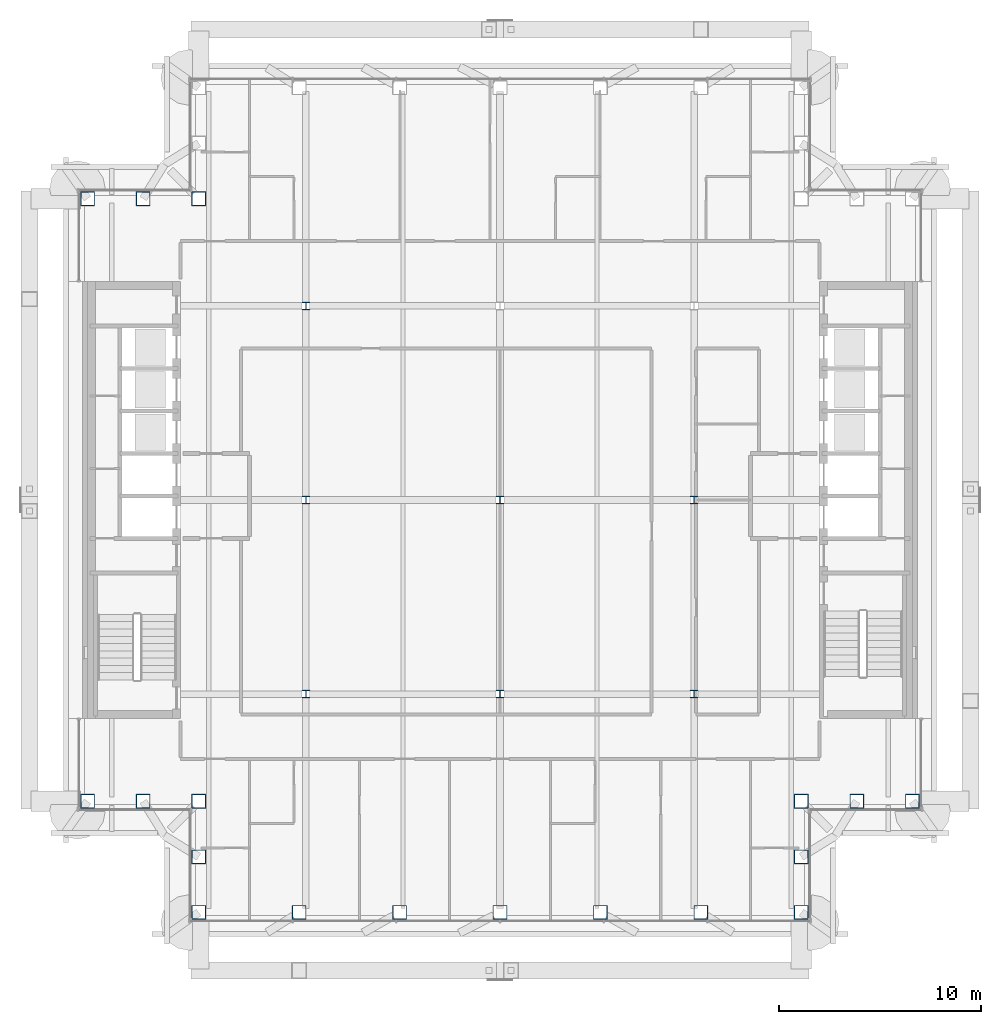
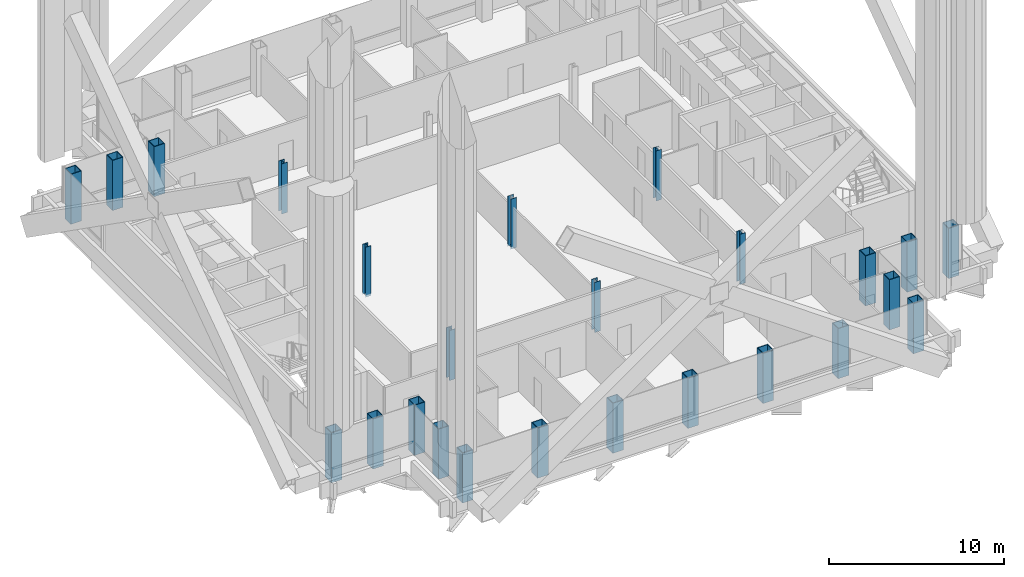
# One storey, part 1 of 22: 25 columns.
"""IFC4 building model written with IfcOpenShell, lengths in metres."""

import ifcopenshell
import ifcopenshell.guid

model = None  # the IFC model being written
_history = None  # IfcOwnerHistory: only IFC2X3 demands one
_inside = {}  # id of a spatial element -> (the spatial element, [elements in it])
_under = {}  # id of a project, library or spatial element -> (it, [spatial elements below it])
_declared = {}  # id of a project -> (the project, [libraries it declares])
_typed = {}  # id of a type object -> (the type object, [elements of that type])
_made_of = {}  # id of a material, layer set ... -> (it, [elements and type objects made of it])


def new_model(schema):
    """Start an empty IFC model of exactly this schema.

    Asked for "IFC4X3", IfcOpenShell would pick the latest addendum, in which some entities
    have other attributes; the version numbers below select the first issue.
    IFC2X3 requires an IfcOwnerHistory on every rooted entity: one is made here for all.
    """
    global model, _history
    if schema == "IFC4X3":
        model = ifcopenshell.file(schema_version=(4, 3, 0, 0))
    else:
        model = ifcopenshell.file(schema=schema)
    _inside.clear()
    _under.clear()
    _declared.clear()
    _typed.clear()
    _made_of.clear()
    _history = None
    if model.schema == "IFC2X3":
        org = make("IfcOrganization", Name="unknown")
        user = make(
            "IfcPersonAndOrganization",
            ThePerson=make("IfcPerson", FamilyName="unknown"),
            TheOrganization=org,
        )
        app = make(
            "IfcApplication",
            ApplicationDeveloper=org,
            Version="unknown",
            ApplicationFullName="unknown",
            ApplicationIdentifier="unknown",
        )
        _history = make(
            "IfcOwnerHistory",
            OwningUser=user,
            OwningApplication=app,
            ChangeAction="ADDED",
            CreationDate=0,
        )
    return model


def make(cls, **values):
    """One entity of the class cls with the attributes given. An attribute that is None is left unset."""
    return model.create_entity(
        cls, **{name: value for name, value in values.items() if value is not None}
    )


def rooted(cls, **values):
    """An entity with a GlobalId (a new one), such as an element, a storey or a relation."""
    return make(cls, GlobalId=ifcopenshell.guid.new(), OwnerHistory=_history, **values)


def si_unit(unit_type, name, prefix=None):
    """IfcSIUnit, for example si_unit("LENGTHUNIT", "METRE", prefix="MILLI")."""
    return make("IfcSIUnit", UnitType=unit_type, Prefix=prefix, Name=name)


def assignment(units):
    """IfcUnitAssignment: the units of a project."""
    return None if units is None else make("IfcUnitAssignment", Units=units)


def point(xyz):
    """IfcCartesianPoint."""
    return None if xyz is None else make("IfcCartesianPoint", Coordinates=xyz)


def direction(xyz):
    """IfcDirection."""
    return None if xyz is None else make("IfcDirection", DirectionRatios=xyz)


def frame(location, z_axis=None, x_axis=None):
    """IfcAxis2Placement3D, a coordinate frame: its origin and axes. An axis left out is left unset."""
    return make(
        "IfcAxis2Placement3D",
        Location=point(location),
        Axis=direction(z_axis),
        RefDirection=direction(x_axis),
    )


def frame_2d(location, x_axis=None):
    """IfcAxis2Placement2D, a coordinate frame in the plane: its origin and x axis."""
    return make(
        "IfcAxis2Placement2D", Location=point(location), RefDirection=direction(x_axis)
    )


def origin():
    """The frame at (0, 0, 0) with its axes left unset."""
    return frame((0.0, 0.0, 0.0))


def origin_2d():
    """The frame at (0, 0) in the plane with its x axis left unset."""
    return frame_2d((0.0, 0.0))


def place(relative_to, where):
    """IfcLocalPlacement: puts the frame where relative to a parent placement (None: the world)."""
    return make(
        "IfcLocalPlacement", PlacementRelTo=relative_to, RelativePlacement=where
    )


def context(
    kind, dimensions, precision=None, world=None, true_north=None, identifier=None
):
    """IfcGeometricRepresentationContext, for example the 3D "Model" context."""
    return make(
        "IfcGeometricRepresentationContext",
        ContextIdentifier=identifier,
        ContextType=kind,
        CoordinateSpaceDimension=dimensions,
        Precision=precision,
        WorldCoordinateSystem=world,
        TrueNorth=true_north,
    )


def subcontext(parent, identifier, kind, view, scale=None):
    """IfcGeometricRepresentationSubContext, for example "Body" below "Model"."""
    return make(
        "IfcGeometricRepresentationSubContext",
        ContextIdentifier=identifier,
        ContextType=kind,
        ParentContext=parent,
        TargetScale=scale,
        TargetView=view,
    )


def project(units=None, contexts=None):
    """IfcProject with its units and contexts."""
    return rooted(
        "IfcProject",
        Name="project",
        RepresentationContexts=contexts,
        UnitsInContext=assignment(units),
    )


def spatial(cls, under=None, at=None, **own):
    """A site, building, storey or space (cls), placed at a placement, below another one or the project."""
    s = rooted(cls, ObjectPlacement=at, **own)
    if under is not None:
        _under.setdefault(under.id(), (under, []))[1].append(s)
    return s


def profile(cls, at=None, kind="AREA", **sizes):
    """A parametric profile (cls). Its sizes go by their IFC names, for example OverallWidth=200.0."""
    return make(cls, ProfileType=kind, Position=at, **sizes)


def hollow_rectangle(**sizes):
    """IfcRectangleHollowProfileDef."""
    return profile("IfcRectangleHollowProfileDef", **sizes)


def i_section(**sizes):
    """IfcIShapeProfileDef."""
    return profile("IfcIShapeProfileDef", **sizes)


def extrude(swept, where, along, depth):
    """IfcExtrudedAreaSolid: the profile swept, set in the frame where, extruded along a direction by depth."""
    return make(
        "IfcExtrudedAreaSolid",
        SweptArea=swept,
        Position=where,
        ExtrudedDirection=direction(along),
        Depth=depth,
    )


def shape(context_of_items, identifier, shape_type, items):
    """IfcShapeRepresentation: the items that make up one representation, for example the "Body"."""
    return make(
        "IfcShapeRepresentation",
        ContextOfItems=context_of_items,
        RepresentationIdentifier=identifier,
        RepresentationType=shape_type,
        Items=items,
    )


def material(Name=None, Category=None):
    """IfcMaterial."""
    return make("IfcMaterial", Name=Name, Category=Category)


def material_profile(
    of_material, cross_section, Name=None, Category=None, Priority=None
):
    """IfcMaterialProfile: a cross section and its material."""
    return make(
        "IfcMaterialProfile",
        Name=Name,
        Material=of_material,
        Profile=cross_section,
        Priority=Priority,
        Category=Category,
    )


def profile_set(profiles, Name=None, composite=None):
    """IfcMaterialProfileSet."""
    return make(
        "IfcMaterialProfileSet",
        Name=Name,
        MaterialProfiles=profiles,
        CompositeProfile=composite,
    )


def made_of(thing, what):
    """Note that an element or type object is made of a material, layer set ...; save() writes the relation."""
    if what is not None:
        _made_of.setdefault(what.id(), (what, []))[1].append(thing)
    return thing


def type_object(cls, material=None, **own):
    """A type object (cls), such as IfcWallType, which elements share."""
    return made_of(rooted(cls, **own), material)


def element(
    cls,
    number,
    at=None,
    inside=None,
    cuts=None,
    type_object=None,
    material=None,
    context=None,
    identifier="Body",
    shape_type=None,
    held_by="IfcProductDefinitionShape",
    body=None,
    shapes=None,
    **own,
):
    """One element of the class cls, such as IfcWall. Its Tag is "e" and its number.

    at: its placement. inside: the storey or other place that contains it. cuts: it is an
    opening in that element (IfcRelVoidsElement). A single representation is given by context,
    identifier, shape_type and body (its items); several are given by shapes. held_by: the class
    of the entity that holds the representations. save() writes the other relations.
    """
    e = rooted(cls, Tag="e%d" % number, ObjectPlacement=at, **own)
    if body is not None:
        shapes = [shape(context, identifier, shape_type, body)]
    if shapes is not None:
        e.Representation = make(held_by, Representations=shapes)
    if inside is not None:
        _inside.setdefault(inside.id(), (inside, []))[1].append(e)
    if cuts is not None:
        rooted(
            "IfcRelVoidsElement", RelatingBuildingElement=cuts, RelatedOpeningElement=e
        )
    if type_object is not None:
        _typed.setdefault(type_object.id(), (type_object, []))[1].append(e)
    return made_of(e, material)


def aggregate(whole, parts):
    """IfcRelAggregates: a whole, such as a stair, and the parts it consists of."""
    return rooted("IfcRelAggregates", RelatingObject=whole, RelatedObjects=parts)


def save(model, path):
    """Write the relations noted so far, then the file.

    IfcRelAggregates (storeys below a building ...), IfcRelContainedInSpatialStructure (elements
    in a storey), IfcRelDefinesByType, IfcRelAssociatesMaterial and IfcRelDeclares: one each for
    every whole, place, type object, material and project.
    """
    for whole, parts in _under.values():
        aggregate(whole, parts)
    for where, things in _inside.values():
        rooted(
            "IfcRelContainedInSpatialStructure",
            RelatedElements=things,
            RelatingStructure=where,
        )
    for kind, things in _typed.values():
        rooted("IfcRelDefinesByType", RelatedObjects=things, RelatingType=kind)
    for what, things in _made_of.values():
        rooted("IfcRelAssociatesMaterial", RelatedObjects=things, RelatingMaterial=what)
    for by, libraries in _declared.values():
        rooted("IfcRelDeclares", RelatingContext=by, RelatedDefinitions=libraries)
    model.write(path)


model = new_model("IFC4")

# Units and contexts
model_context = context("Model", 3, precision=1e-05, world=origin(), true_north=direction((0.0, 1.0)))
body_context = subcontext(model_context, "Body", "Model", "MODEL_VIEW")
ifc_project = project(units=[si_unit("LENGTHUNIT", "METRE"), si_unit("AREAUNIT", "SQUARE_METRE"), si_unit("VOLUMEUNIT", "CUBIC_METRE"), si_unit("PLANEANGLEUNIT", "RADIAN"), si_unit("MASSUNIT", "GRAM", prefix="KILO")], contexts=[model_context])

# Site, building, storey
site_placement = place(None, origin())
site = spatial("IfcSite", under=ifc_project, at=site_placement, CompositionType="ELEMENT")
building_placement = place(site_placement, origin())
building = spatial("IfcBuilding", under=site, at=building_placement, Name="Cobrizo Arcos Hotel Tower", CompositionType="ELEMENT")
storey_placement = place(building_placement, frame((0.0, 0.0, 191.0)))
storey = spatial("IfcBuildingStorey", under=building, at=storey_placement, Name="L49", CompositionType="ELEMENT", Elevation=191.0)

# Columns
ifc_material_1 = material(Name="Steel ASTM A572 Grade 50", Category="steel")
ifc_material_profile_1 = material_profile(ifc_material_1, hollow_rectangle(XDim=0.699951171875, YDim=0.699951171875, WallThickness=0.0400390625, at=origin_2d()), Name="BOX 700X700X40")
ifc_profile_set_1 = profile_set([ifc_material_profile_1], Name="Steel ASTM A572 Grade 50")
column_type_1 = type_object("IfcColumnType", Name="BOX 700X700X40 column", PredefinedType="COLUMN", material=ifc_profile_set_1)
for number, where, z_axis, x_axis, name in (
    (1, (-14.89990234375, -20.39990234375, -0.14990234375), (0.0, 0.0, 1.0), (1.0, 0.0, 0.0), "Perimeter column C10, L49, no. 01"),
    (2, (-9.93310546875, -20.39990234375, -0.14990234375), (0.0, 0.0, 1.0), (1.0, 0.0, 0.0), "Perimeter column C10, L49, no. 03"),
    (3, (-4.967041015625, -20.39990234375, -0.14990234375), (0.0, 0.0, 1.0), (1.0, 0.0, 0.0), "Perimeter column C10, L49, no. 05"),
    (4, (0.0, -20.39990234375, -0.14990234375), (0.0, 0.0, 1.0), (1.0, 0.0, 0.0), "Perimeter column C10, L49, no. 07"),
    (5, (4.967041015625, -20.39990234375, -0.14990234375), (0.0, 0.0, 1.0), (1.0, 0.0, 0.0), "Perimeter column C10, L49, no. 09"),
    (6, (9.93310546875, -20.39990234375, -0.14990234375), (0.0, 0.0, 1.0), (1.0, 0.0, 0.0), "Perimeter column C10, L49, no. 11"),
    (7, (14.89990234375, -20.39990234375, -0.14990234375), (0.0, 0.0, 1.0), (1.0, 0.0, 0.0), "Perimeter column C10, L49, no. 13"),
    (8, (20.39990234375, -14.89990234375, -0.14990234375), (0.0, 0.0, 1.0), (1.0, 0.0, 0.0), "Perimeter column C10, L49, no. 14"),
    (9, (-20.39990234375, -14.89990234375, -0.14990234375), (0.0, 0.0, 1.0), (1.0, 0.0, 0.0), "Perimeter column C10, L49, no. 15"),
    (10, (-20.39990234375, 14.89990234375, -0.14990234375), (0.0, 0.0, 1.0), (1.0, 0.0, 0.0), "Perimeter column C10, L49, no. 17"),
    (11, (-14.89990234375, -14.89990234375, -0.14990234375), (0.0, 0.0, 1.0), (1.0, 0.0, 0.0), "Perimeter column C10, L49, no. 18"),
    (12, (-14.89990234375, -17.64990234375, -0.14990234375), (0.0, 0.0, 1.0), (1.0, 0.0, 0.0), "Perimeter column C10, L49, no. 19"),
    (13, (-17.64990234375, -14.89990234375, -0.14990234375), (0.0, 0.0, 1.0), (1.0, 0.0, 0.0), "Perimeter column C10, L49, no. 20"),
    (14, (-14.89990234375, 14.89990234375, -0.14990234375), (0.0, 0.0, 1.0), (1.0, 0.0, 0.0), "Perimeter column C10, L49, no. 21"),
    (15, (-17.64990234375, 14.89990234375, -0.14990234375), (0.0, 0.0, 1.0), (1.0, 0.0, 0.0), "Perimeter column C10, L49, no. 23"),
    (16, (14.89990234375, -14.89990234375, -0.14990234375), (0.0, 0.0, 1.0), (1.0, 0.0, 0.0), "Perimeter column C10, L49, no. 24"),
    (17, (14.89990234375, -17.64990234375, -0.14990234375), (0.0, 0.0, 1.0), (1.0, 0.0, 0.0), "Perimeter column C10, L49, no. 25"),
    (18, (17.64990234375, -14.89990234375, -0.14990234375), (0.0, 0.0, 1.0), (1.0, 0.0, 0.0), "Perimeter column C10, L49, no. 26"),
):
    element("IfcColumn", number, at=place(storey_placement, frame(where, z_axis=z_axis, x_axis=x_axis)), inside=storey, type_object=column_type_1, Name=name, PredefinedType="COLUMN", context=body_context, shape_type="SweptSolid", body=[
        extrude(hollow_rectangle(XDim=0.699951171875, YDim=0.699951171875, WallThickness=0.0400390625, at=origin_2d()), origin(), (0.0, 0.0, 1.0), 3.5),
    ])
ifc_material_2 = material(Name="Steel ASTM A992 Grade 50", Category="steel")
ifc_material_profile_2 = material_profile(ifc_material_2, i_section(OverallWidth=0.373291015625, OverallDepth=0.373291015625, WebThickness=0.016357421875, FlangeThickness=0.026123046875, at=origin_2d()), Name="W14X132")
ifc_profile_set_2 = profile_set([ifc_material_profile_2], Name="Steel ASTM A992 Grade 50")
column_type_2 = type_object("IfcColumnType", Name="W14X132 interior column", PredefinedType="COLUMN", material=ifc_profile_set_2)
for number, where, z_axis, x_axis, name in (
    (19, (-9.60009765625, -9.60009765625, -0.14990234375), (0.0, 0.0, 1.0), (1.0, 0.0, 0.0), "Interior column C9, L49, no. 00"),
    (20, (-9.60009765625, 0.0, -0.14990234375), (0.0, 0.0, 1.0), (1.0, 0.0, 0.0), "Interior column C9, L49, no. 01"),
    (21, (-9.60009765625, 9.60009765625, -0.14990234375), (0.0, 0.0, 1.0), (1.0, 0.0, 0.0), "Interior column C9, L49, no. 02"),
    (22, (0.0, -9.60009765625, -0.14990234375), (0.0, 0.0, 1.0), (1.0, 0.0, 0.0), "Interior column C9, L49, no. 03"),
    (23, (0.0, 0.0, -0.14990234375), (0.0, 0.0, 1.0), (1.0, 0.0, 0.0), "Interior column C9, L49, no. 04"),
    (24, (9.60009765625, -9.60009765625, -0.14990234375), (0.0, 0.0, 1.0), (1.0, 0.0, 0.0), "Interior column C9, L49, no. 06"),
    (25, (9.60009765625, 0.0, -0.14990234375), (0.0, 0.0, 1.0), (1.0, 0.0, 0.0), "Interior column C9, L49, no. 07"),
):
    element("IfcColumn", number, at=place(storey_placement, frame(where, z_axis=z_axis, x_axis=x_axis)), inside=storey, type_object=column_type_2, Name=name, PredefinedType="COLUMN", context=body_context, shape_type="SweptSolid", body=[
        extrude(i_section(OverallWidth=0.373291015625, OverallDepth=0.373291015625, WebThickness=0.016357421875, FlangeThickness=0.026123046875, at=origin_2d()), origin(), (0.0, 0.0, 1.0), 3.5),
    ])

save(model, "model.ifc")
